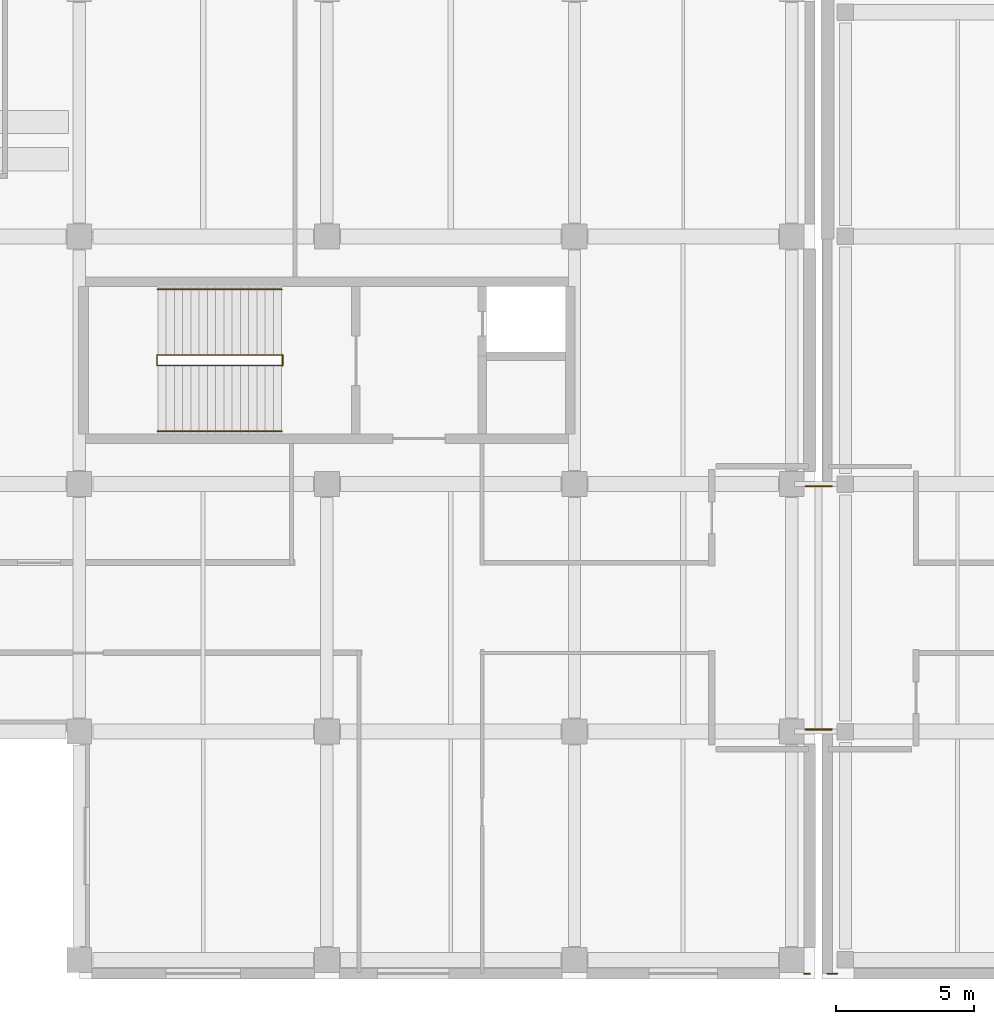
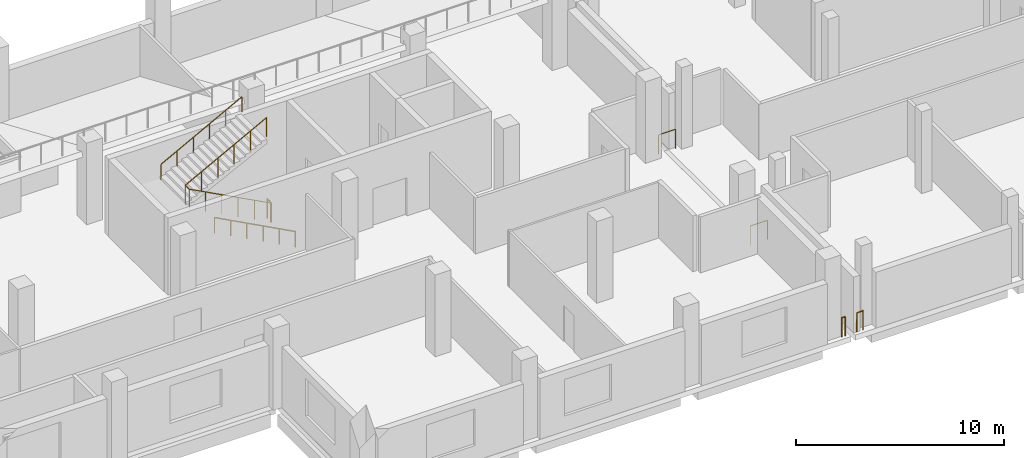
# One storey, part 85 of 100: 8 railings.
"""IFC4 building model written with IfcOpenShell, lengths in metres."""

from ifc_helpers import new_model, si_unit, direction, frame, origin, origin_2d, place, context, subcontext, project, spatial, circle, extrude, material, type_object, element, save


model = new_model("IFC4")

# Units and contexts
model_context = context("Model", 3, precision=1e-05, world=origin(), true_north=direction((0.0, 1.0)))
body_context = subcontext(model_context, "Body", "Model", "MODEL_VIEW")
ifc_project = project(units=[si_unit("LENGTHUNIT", "METRE"), si_unit("AREAUNIT", "SQUARE_METRE"), si_unit("VOLUMEUNIT", "CUBIC_METRE"), si_unit("PLANEANGLEUNIT", "RADIAN"), si_unit("MASSUNIT", "GRAM", prefix="KILO"), si_unit("THERMODYNAMICTEMPERATUREUNIT", "KELVIN"), si_unit("POWERUNIT", "WATT")], contexts=[model_context])

# Site, building, storey
site_placement = place(None, origin())
site = spatial("IfcSite", under=ifc_project, at=site_placement, CompositionType="ELEMENT")
building_placement = place(site_placement, origin())
building = spatial("IfcBuilding", under=site, at=building_placement, Name="Sindhuravela Promenade Stadium", CompositionType="ELEMENT")
storey_placement = place(building_placement, frame((0.0, 0.0, 4.800048828125)))
storey = spatial("IfcBuildingStorey", under=building, at=storey_placement, Name="L01", CompositionType="ELEMENT", Elevation=4.800048828125)

# Railings
ifc_material = material(Name="Architectural wrought steel E350", Category="steel")
railing_type_1 = type_object("IfcRailingType", Name="RL-GRD-1150", PredefinedType="GUARDRAIL", material=ifc_material)
railing_1_placement = place(storey_placement, frame((161.550048828125, 0.199951171875, 0.0)))
element("IfcRailing", 1, at=railing_1_placement, inside=storey, type_object=railing_type_1, Name="Perimeter edge return guard SOUTH L01", PredefinedType="GUARDRAIL", context=body_context, shape_type="SweptSolid", body=[
    extrude(circle(Radius=0.02392578125, at=origin_2d()), frame((0.0, 0.0, 1.1259765625), z_axis=(-1.0, 0.0, 0.0), x_axis=(0.0, -1.0, 0.0)), (0.0, 0.0, 1.0), 0.195068359375),
    extrude(circle(Radius=0.02099609375, at=origin_2d()), origin(), (0.0, 0.0, 1.0), 1.101806640625),
    extrude(circle(Radius=0.02099609375, at=origin_2d()), frame((-0.195068359375, 0.0, 0.0)), (0.0, 0.0, 1.0), 1.101806640625),
])
railing_2_placement = place(storey_placement, frame((162.544921875, 0.199951171875, 0.0)))
element("IfcRailing", 2, at=railing_2_placement, inside=storey, type_object=railing_type_1, Name="Perimeter edge return guard Pavilion SE L01", PredefinedType="GUARDRAIL", context=body_context, shape_type="SweptSolid", body=[
    extrude(circle(Radius=0.02392578125, at=origin_2d()), frame((0.0, 0.0, 1.1259765625), z_axis=(-1.0, 0.0, 0.0), x_axis=(0.0, -1.0, 0.0)), (0.0, 0.0, 1.0), 0.344970703125),
    extrude(circle(Radius=0.02099609375, at=origin_2d()), origin(), (0.0, 0.0, 1.0), 1.101806640625),
    extrude(circle(Radius=0.02099609375, at=origin_2d()), frame((-0.344970703125, 0.0, 0.0)), (0.0, 0.0, 1.0), 1.101806640625),
])
for number, where, name in (
    (3, (161.39990234375, 9.080078125, 0.0), "Bridge edge guardrail GR01-67"),
    (4, (161.39990234375, 17.919921875, 0.0), "Bridge edge guardrail GR01-68"),
):
    element("IfcRailing", number, at=place(storey_placement, frame(where)), inside=storey, type_object=railing_type_1, Name=name, PredefinedType="GUARDRAIL", context=body_context, shape_type="SweptSolid", body=[
        extrude(circle(Radius=0.02392578125, at=origin_2d()), frame((0.0, 0.0, 1.1259765625), z_axis=(1.0, 0.0, 0.0), x_axis=(0.0, 1.0, 0.0)), (0.0, 0.0, 1.0), 0.9501953125),
        extrude(circle(Radius=0.02099609375, at=origin_2d()), origin(), (0.0, 0.0, 1.0), 1.101806640625),
        extrude(circle(Radius=0.02099609375, at=origin_2d()), frame((0.9501953125, 0.0, 0.0)), (0.0, 0.0, 1.0), 1.101806640625),
    ])
railing_3_placement = place(storey_placement, frame((142.35009765625, 22.31005859375, 0.0)))
element("IfcRailing", 5, at=railing_3_placement, inside=storey, type_object=railing_type_1, Name="Stair ST12 inner well guard (L01)", PredefinedType="GUARDRAIL", context=body_context, shape_type="SweptSolid", body=[
    extrude(circle(Radius=0.02392578125, at=origin_2d()), frame((0.0, 0.0, 1.1259765625), z_axis=(-0.8836546633431795, 0.0, 0.46813933390802775), x_axis=(0.0, -1.0, 0.0)), (0.0, 0.0, 1.0), 5.12646484375),
    extrude(circle(Radius=0.02392578125, at=origin_2d()), frame((-4.530029296875, 0.0, 3.52587890625), z_axis=(0.0, 1.0, 0.0), x_axis=(-1.0, 0.0, 0.0)), (0.0, 0.0, 1.0), 0.3798828125),
    extrude(circle(Radius=0.02392578125, at=origin_2d()), frame((-4.530029296875, 0.3798828125, 3.52587890625), z_axis=(0.8836349624059475, 0.0, 0.46817651928929505), x_axis=(0.0, 1.0, 0.0)), (0.0, 0.0, 1.0), 5.12646484375),
    extrude(circle(Radius=0.02099609375, at=origin_2d()), origin(), (0.0, 0.0, 1.0), 1.101806640625),
    extrude(circle(Radius=0.02099609375, at=origin_2d()), frame((-0.906005859375, 0.0, 0.47998046875)), (0.0, 0.0, 1.0), 1.101806640625),
    extrude(circle(Radius=0.02099609375, at=origin_2d()), frame((-1.81201171875, 0.0, 0.9599609375)), (0.0, 0.0, 1.0), 1.101806640625),
    extrude(circle(Radius=0.02099609375, at=origin_2d()), frame((-2.718017578125, 0.0, 1.43994140625)), (0.0, 0.0, 1.0), 1.101806640625),
    extrude(circle(Radius=0.02099609375, at=origin_2d()), frame((-3.6240234375, 0.0, 1.919921875)), (0.0, 0.0, 1.0), 1.101806640625),
    extrude(circle(Radius=0.02099609375, at=origin_2d()), frame((-4.530029296875, 0.0, 2.39990234375)), (0.0, 0.0, 1.0), 1.101806640625),
    extrude(circle(Radius=0.02099609375, at=origin_2d()), frame((-4.530029296875, 0.3798828125, 2.39990234375)), (0.0, 0.0, 1.0), 1.101806640625),
    extrude(circle(Radius=0.02099609375, at=origin_2d()), frame((-3.6240234375, 0.3798828125, 2.8798828125)), (0.0, 0.0, 1.0), 1.101806640625),
    extrude(circle(Radius=0.02099609375, at=origin_2d()), frame((-2.718017578125, 0.3798828125, 3.35986328125)), (0.0, 0.0, 1.0), 1.101806640625),
    extrude(circle(Radius=0.02099609375, at=origin_2d()), frame((-1.81201171875, 0.3798828125, 3.840087890625)), (0.0, 0.0, 1.0), 1.101806640625),
    extrude(circle(Radius=0.02099609375, at=origin_2d()), frame((-0.906005859375, 0.3798828125, 4.320068359375)), (0.0, 0.0, 1.0), 1.101806640625),
    extrude(circle(Radius=0.02099609375, at=origin_2d()), frame((0.0, 0.3798828125, 4.800048828125)), (0.0, 0.0, 1.0), 1.101806640625),
])
railing_4_placement = place(storey_placement, frame((142.3798828125, 22.31005859375, 0.0)))
element("IfcRailing", 6, at=railing_4_placement, inside=storey, type_object=railing_type_1, Name="Stair ST12 landing well slot guard (L01)", PredefinedType="GUARDRAIL", context=body_context, shape_type="SweptSolid", body=[
    extrude(circle(Radius=0.02392578125, at=origin_2d()), frame((0.0, 0.0, 1.1259765625), z_axis=(0.0, 1.0, 0.0), x_axis=(-1.0, 0.0, 0.0)), (0.0, 0.0, 1.0), 0.3798828125),
    extrude(circle(Radius=0.02099609375, at=origin_2d()), origin(), (0.0, 0.0, 1.0), 1.101806640625),
    extrude(circle(Radius=0.02099609375, at=origin_2d()), frame((0.0, 0.3798828125, 0.0)), (0.0, 0.0, 1.0), 1.101806640625),
])
railing_type_2 = type_object("IfcRailingType", Name="RL-HND-920", PredefinedType="HANDRAIL", material=ifc_material)
railing_5_placement = place(storey_placement, frame((142.35009765625, 19.919921875, 0.0)))
element("IfcRailing", 7, at=railing_5_placement, inside=storey, type_object=railing_type_2, Name="Stair ST12 lower wall handrail (L01)", PredefinedType="HANDRAIL", context=body_context, shape_type="SweptSolid", body=[
    extrude(circle(Radius=0.02392578125, at=origin_2d()), frame((0.0, 0.0, 0.89599609375), z_axis=(-0.8823608919668723, 0.0, 0.4705733272588083), x_axis=(0.0, -1.0, 0.0)), (0.0, 0.0, 1.0), 5.099853515625),
    extrude(circle(Radius=0.02099609375, at=origin_2d()), origin(), (0.0, 0.0, 1.0), 0.871826171875),
    extrude(circle(Radius=0.02099609375, at=origin_2d()), frame((-0.89990234375, 0.0, 0.47998046875)), (0.0, 0.0, 1.0), 0.871826171875),
    extrude(circle(Radius=0.02099609375, at=origin_2d()), frame((-1.800048828125, 0.0, 0.9599609375)), (0.0, 0.0, 1.0), 0.871826171875),
    extrude(circle(Radius=0.02099609375, at=origin_2d()), frame((-2.699951171875, 0.0, 1.43994140625)), (0.0, 0.0, 1.0), 0.871826171875),
    extrude(circle(Radius=0.02099609375, at=origin_2d()), frame((-3.60009765625, 0.0, 1.919921875)), (0.0, 0.0, 1.0), 0.871826171875),
    extrude(circle(Radius=0.02099609375, at=origin_2d()), frame((-4.5, 0.0, 2.39990234375)), (0.0, 0.0, 1.0), 0.871826171875),
])
railing_6_placement = place(storey_placement, frame((137.85009765625, 25.080078125, 2.39990234375)))
element("IfcRailing", 8, at=railing_6_placement, inside=storey, type_object=railing_type_2, Name="Stair ST12 upper wall handrail (L01)", PredefinedType="HANDRAIL", context=body_context, shape_type="SweptSolid", body=[
    extrude(circle(Radius=0.02392578125, at=origin_2d()), frame((0.0, 0.0, 0.89599609375), z_axis=(0.8823410147872734, 0.0, 0.47061059659145427), x_axis=(0.0, 1.0, 0.0)), (0.0, 0.0, 1.0), 5.10009765625),
    extrude(circle(Radius=0.02099609375, at=origin_2d()), origin(), (0.0, 0.0, 1.0), 0.871826171875),
    extrude(circle(Radius=0.02099609375, at=origin_2d()), frame((0.89990234375, 0.0, 0.47998046875)), (0.0, 0.0, 1.0), 0.871826171875),
    extrude(circle(Radius=0.02099609375, at=origin_2d()), frame((1.800048828125, 0.0, 0.9599609375)), (0.0, 0.0, 1.0), 0.871826171875),
    extrude(circle(Radius=0.02099609375, at=origin_2d()), frame((2.699951171875, 0.0, 1.440185546875)), (0.0, 0.0, 1.0), 0.871826171875),
    extrude(circle(Radius=0.02099609375, at=origin_2d()), frame((3.60009765625, 0.0, 1.920166015625)), (0.0, 0.0, 1.0), 0.871826171875),
    extrude(circle(Radius=0.02099609375, at=origin_2d()), frame((4.5, 0.0, 2.400146484375)), (0.0, 0.0, 1.0), 0.871826171875),
])

save(model, "model.ifc")
